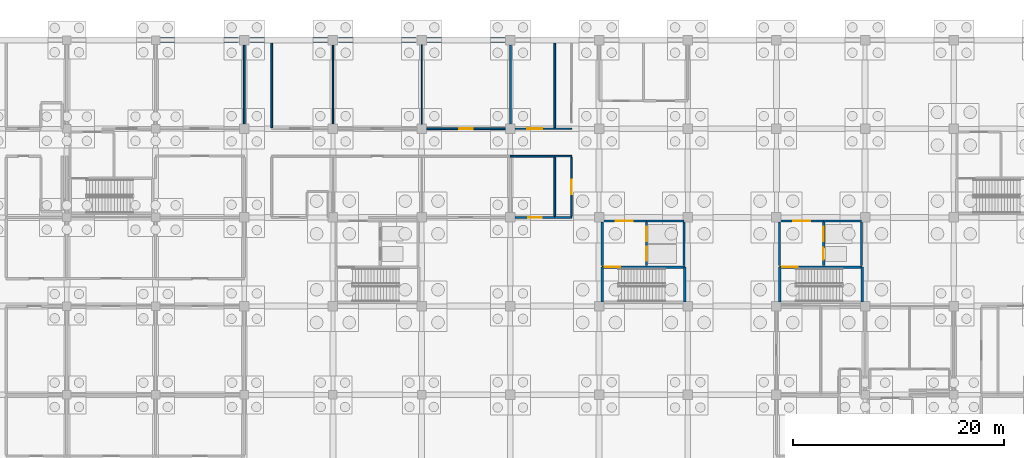
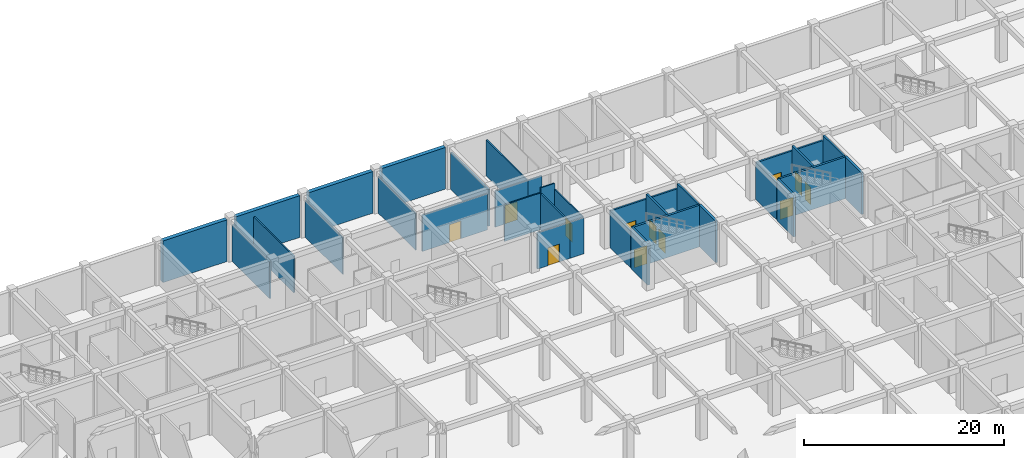
# One storey, part 43 of 65: 35 walls, 12 doors, 12 openings.
"""IFC4 building model written with IfcOpenShell, lengths in metres."""

import ifcopenshell
import ifcopenshell.guid

model = None  # the IFC model being written
_history = None  # IfcOwnerHistory: only IFC2X3 demands one
_inside = {}  # id of a spatial element -> (the spatial element, [elements in it])
_under = {}  # id of a project, library or spatial element -> (it, [spatial elements below it])
_declared = {}  # id of a project -> (the project, [libraries it declares])
_typed = {}  # id of a type object -> (the type object, [elements of that type])
_made_of = {}  # id of a material, layer set ... -> (it, [elements and type objects made of it])


def new_model(schema):
    """Start an empty IFC model of exactly this schema.

    Asked for "IFC4X3", IfcOpenShell would pick the latest addendum, in which some entities
    have other attributes; the version numbers below select the first issue.
    IFC2X3 requires an IfcOwnerHistory on every rooted entity: one is made here for all.
    """
    global model, _history
    if schema == "IFC4X3":
        model = ifcopenshell.file(schema_version=(4, 3, 0, 0))
    else:
        model = ifcopenshell.file(schema=schema)
    _inside.clear()
    _under.clear()
    _declared.clear()
    _typed.clear()
    _made_of.clear()
    _history = None
    if model.schema == "IFC2X3":
        org = make("IfcOrganization", Name="unknown")
        user = make(
            "IfcPersonAndOrganization",
            ThePerson=make("IfcPerson", FamilyName="unknown"),
            TheOrganization=org,
        )
        app = make(
            "IfcApplication",
            ApplicationDeveloper=org,
            Version="unknown",
            ApplicationFullName="unknown",
            ApplicationIdentifier="unknown",
        )
        _history = make(
            "IfcOwnerHistory",
            OwningUser=user,
            OwningApplication=app,
            ChangeAction="ADDED",
            CreationDate=0,
        )
    return model


def make(cls, **values):
    """One entity of the class cls with the attributes given. An attribute that is None is left unset."""
    return model.create_entity(
        cls, **{name: value for name, value in values.items() if value is not None}
    )


def rooted(cls, **values):
    """An entity with a GlobalId (a new one), such as an element, a storey or a relation."""
    return make(cls, GlobalId=ifcopenshell.guid.new(), OwnerHistory=_history, **values)


def si_unit(unit_type, name, prefix=None):
    """IfcSIUnit, for example si_unit("LENGTHUNIT", "METRE", prefix="MILLI")."""
    return make("IfcSIUnit", UnitType=unit_type, Prefix=prefix, Name=name)


def assignment(units):
    """IfcUnitAssignment: the units of a project."""
    return None if units is None else make("IfcUnitAssignment", Units=units)


def point(xyz):
    """IfcCartesianPoint."""
    return None if xyz is None else make("IfcCartesianPoint", Coordinates=xyz)


def direction(xyz):
    """IfcDirection."""
    return None if xyz is None else make("IfcDirection", DirectionRatios=xyz)


def frame(location, z_axis=None, x_axis=None):
    """IfcAxis2Placement3D, a coordinate frame: its origin and axes. An axis left out is left unset."""
    return make(
        "IfcAxis2Placement3D",
        Location=point(location),
        Axis=direction(z_axis),
        RefDirection=direction(x_axis),
    )


def frame_2d(location, x_axis=None):
    """IfcAxis2Placement2D, a coordinate frame in the plane: its origin and x axis."""
    return make(
        "IfcAxis2Placement2D", Location=point(location), RefDirection=direction(x_axis)
    )


def origin():
    """The frame at (0, 0, 0) with its axes left unset."""
    return frame((0.0, 0.0, 0.0))


def place(relative_to, where):
    """IfcLocalPlacement: puts the frame where relative to a parent placement (None: the world)."""
    return make(
        "IfcLocalPlacement", PlacementRelTo=relative_to, RelativePlacement=where
    )


def context(
    kind, dimensions, precision=None, world=None, true_north=None, identifier=None
):
    """IfcGeometricRepresentationContext, for example the 3D "Model" context."""
    return make(
        "IfcGeometricRepresentationContext",
        ContextIdentifier=identifier,
        ContextType=kind,
        CoordinateSpaceDimension=dimensions,
        Precision=precision,
        WorldCoordinateSystem=world,
        TrueNorth=true_north,
    )


def subcontext(parent, identifier, kind, view, scale=None):
    """IfcGeometricRepresentationSubContext, for example "Body" below "Model"."""
    return make(
        "IfcGeometricRepresentationSubContext",
        ContextIdentifier=identifier,
        ContextType=kind,
        ParentContext=parent,
        TargetScale=scale,
        TargetView=view,
    )


def project(units=None, contexts=None):
    """IfcProject with its units and contexts."""
    return rooted(
        "IfcProject",
        Name="project",
        RepresentationContexts=contexts,
        UnitsInContext=assignment(units),
    )


def spatial(cls, under=None, at=None, **own):
    """A site, building, storey or space (cls), placed at a placement, below another one or the project."""
    s = rooted(cls, ObjectPlacement=at, **own)
    if under is not None:
        _under.setdefault(under.id(), (under, []))[1].append(s)
    return s


def profile(cls, at=None, kind="AREA", **sizes):
    """A parametric profile (cls). Its sizes go by their IFC names, for example OverallWidth=200.0."""
    return make(cls, ProfileType=kind, Position=at, **sizes)


def rectangle(**sizes):
    """IfcRectangleProfileDef."""
    return profile("IfcRectangleProfileDef", **sizes)


def extrude(swept, where, along, depth):
    """IfcExtrudedAreaSolid: the profile swept, set in the frame where, extruded along a direction by depth."""
    return make(
        "IfcExtrudedAreaSolid",
        SweptArea=swept,
        Position=where,
        ExtrudedDirection=direction(along),
        Depth=depth,
    )


def shape(context_of_items, identifier, shape_type, items):
    """IfcShapeRepresentation: the items that make up one representation, for example the "Body"."""
    return make(
        "IfcShapeRepresentation",
        ContextOfItems=context_of_items,
        RepresentationIdentifier=identifier,
        RepresentationType=shape_type,
        Items=items,
    )


def material(Name=None, Category=None):
    """IfcMaterial."""
    return make("IfcMaterial", Name=Name, Category=Category)


def layer(
    of_material, thickness, ventilated=None, Name=None, Category=None, Priority=None
):
    """IfcMaterialLayer: one layer of a wall or slab, of a material (None: an air gap)."""
    return make(
        "IfcMaterialLayer",
        Material=of_material,
        LayerThickness=thickness,
        IsVentilated=ventilated,
        Name=Name,
        Category=Category,
        Priority=Priority,
    )


def layer_set(layers, Name=None):
    """IfcMaterialLayerSet."""
    return make("IfcMaterialLayerSet", MaterialLayers=layers, LayerSetName=Name)


def made_of(thing, what):
    """Note that an element or type object is made of a material, layer set ...; save() writes the relation."""
    if what is not None:
        _made_of.setdefault(what.id(), (what, []))[1].append(thing)
    return thing


def type_object(cls, material=None, **own):
    """A type object (cls), such as IfcWallType, which elements share."""
    return made_of(rooted(cls, **own), material)


def element(
    cls,
    number,
    at=None,
    inside=None,
    cuts=None,
    type_object=None,
    material=None,
    context=None,
    identifier="Body",
    shape_type=None,
    held_by="IfcProductDefinitionShape",
    body=None,
    shapes=None,
    **own,
):
    """One element of the class cls, such as IfcWall. Its Tag is "e" and its number.

    at: its placement. inside: the storey or other place that contains it. cuts: it is an
    opening in that element (IfcRelVoidsElement). A single representation is given by context,
    identifier, shape_type and body (its items); several are given by shapes. held_by: the class
    of the entity that holds the representations. save() writes the other relations.
    """
    e = rooted(cls, Tag="e%d" % number, ObjectPlacement=at, **own)
    if body is not None:
        shapes = [shape(context, identifier, shape_type, body)]
    if shapes is not None:
        e.Representation = make(held_by, Representations=shapes)
    if inside is not None:
        _inside.setdefault(inside.id(), (inside, []))[1].append(e)
    if cuts is not None:
        rooted(
            "IfcRelVoidsElement", RelatingBuildingElement=cuts, RelatedOpeningElement=e
        )
    if type_object is not None:
        _typed.setdefault(type_object.id(), (type_object, []))[1].append(e)
    return made_of(e, material)


def fill(opening, filler):
    """IfcRelFillsElement: the door or window that sits in an opening."""
    return rooted(
        "IfcRelFillsElement",
        RelatingOpeningElement=opening,
        RelatedBuildingElement=filler,
    )


def aggregate(whole, parts):
    """IfcRelAggregates: a whole, such as a stair, and the parts it consists of."""
    return rooted("IfcRelAggregates", RelatingObject=whole, RelatedObjects=parts)


def save(model, path):
    """Write the relations noted so far, then the file.

    IfcRelAggregates (storeys below a building ...), IfcRelContainedInSpatialStructure (elements
    in a storey), IfcRelDefinesByType, IfcRelAssociatesMaterial and IfcRelDeclares: one each for
    every whole, place, type object, material and project.
    """
    for whole, parts in _under.values():
        aggregate(whole, parts)
    for where, things in _inside.values():
        rooted(
            "IfcRelContainedInSpatialStructure",
            RelatedElements=things,
            RelatingStructure=where,
        )
    for kind, things in _typed.values():
        rooted("IfcRelDefinesByType", RelatedObjects=things, RelatingType=kind)
    for what, things in _made_of.values():
        rooted("IfcRelAssociatesMaterial", RelatedObjects=things, RelatingMaterial=what)
    for by, libraries in _declared.values():
        rooted("IfcRelDeclares", RelatingContext=by, RelatedDefinitions=libraries)
    model.write(path)


model = new_model("IFC4")

# Units and contexts
model_context = context("Model", 3, precision=1e-05, world=origin(), true_north=direction((0.0, 1.0)))
body_context = subcontext(model_context, "Body", "Model", "MODEL_VIEW")
ifc_project = project(units=[si_unit("LENGTHUNIT", "METRE"), si_unit("AREAUNIT", "SQUARE_METRE"), si_unit("VOLUMEUNIT", "CUBIC_METRE"), si_unit("PLANEANGLEUNIT", "RADIAN"), si_unit("MASSUNIT", "GRAM", prefix="KILO")], contexts=[model_context])

# Site, building, storey
site_placement = place(None, origin())
site = spatial("IfcSite", under=ifc_project, at=site_placement, CompositionType="ELEMENT")
building_placement = place(site_placement, origin())
building = spatial("IfcBuilding", under=site, at=building_placement, Name="Bramfleet General Hospital", CompositionType="ELEMENT")
storey_placement = place(building_placement, frame((0.0, 0.0, -5.39990234375)))
storey = spatial("IfcBuildingStorey", under=building, at=storey_placement, Name="B1", CompositionType="ELEMENT", Elevation=-5.39990234375)

# Walls
ifc_material_1 = material(Name="Concrete C35/45", Category="concrete")
ifc_layer_1 = layer(ifc_material_1, 0.449951171875, Name="WT-EW-01")
ifc_layer_set_1 = layer_set([ifc_layer_1], Name="Concrete C35/45")
wall_type_1 = type_object("IfcWallType", Name="WT-EW-01", PredefinedType="SOLIDWALL", material=ifc_layer_set_1)
wall_1_placement = place(storey_placement, frame((59.27490234375, 117.60009765625, 0.0), z_axis=(0.0, 0.0, 1.0), x_axis=(1.0, 0.0, 0.0)))
element("IfcWall", 1, at=wall_1_placement, inside=storey, type_object=wall_type_1, Name="B1 Waterproof Retaining Wall 15", PredefinedType="SOLIDWALL", context=body_context, shape_type="SweptSolid", body=[
    extrude(rectangle(XDim=7.400146484375, YDim=0.449951171875, at=frame_2d((3.7001953125, 0.0))), origin(), (0.0, 0.0, 1.0), 5.079833984375),
])
wall_2_placement = place(storey_placement, frame((67.72509765625, 117.60009765625, 0.0), z_axis=(0.0, 0.0, 1.0), x_axis=(1.0, 0.0, 0.0)))
element("IfcWall", 2, at=wall_2_placement, inside=storey, type_object=wall_type_1, Name="B1 Waterproof Retaining Wall 16", PredefinedType="SOLIDWALL", context=body_context, shape_type="SweptSolid", body=[
    extrude(rectangle(XDim=7.349853515625, YDim=0.449951171875, at=frame_2d((3.6748046875, 0.0))), origin(), (0.0, 0.0, 1.0), 5.079833984375),
])
for number, where, z_axis, x_axis, name in (
    (3, (76.125, 117.60009765625, 0.0), (0.0, 0.0, 1.0), (1.0, 0.0, 0.0), "B1 Waterproof Retaining Wall 17"),
    (4, (84.52490234375, 117.60009765625, 0.0), (0.0, 0.0, 1.0), (1.0, 0.0, 0.0), "B1 Waterproof Retaining Wall 18"),
):
    element("IfcWall", number, at=place(storey_placement, frame(where, z_axis=z_axis, x_axis=x_axis)), inside=storey, type_object=wall_type_1, Name=name, PredefinedType="SOLIDWALL", context=body_context, shape_type="SweptSolid", body=[
        extrude(rectangle(XDim=7.35009765625, YDim=0.449951171875, at=frame_2d((3.675048828125, 0.0))), origin(), (0.0, 0.0, 1.0), 5.079833984375),
    ])

# Wall, openings, doors
ifc_layer_2 = layer(ifc_material_1, 0.205078125, Name="WT-IW-02")
ifc_layer_set_2 = layer_set([ifc_layer_2], Name="Concrete C35/45")
wall_type_2 = type_object("IfcWallType", Name="WT-IW-02", PredefinedType="PARTITIONING", material=ifc_layer_set_2)
wall_3_placement = place(storey_placement, frame((105.280029296875, 96.239990234375, 0.0), z_axis=(0.0, 0.0, 1.0), x_axis=(0.0, 1.0, 0.0)))
wall_3 = element("IfcWall", 5, at=wall_3_placement, inside=storey, type_object=wall_type_2, Name="B1 C4 Lobby East Shaft Wall", PredefinedType="PARTITIONING", context=body_context, shape_type="SweptSolid", body=[
    extrude(rectangle(XDim=4.1201171875, YDim=0.205078125, at=frame_2d((2.06005859375, 0.0))), origin(), (0.0, 0.0, 1.0), 5.06982421875),
])
opening_1_placement = place(wall_3_placement, frame((0.445068359375, 0.0, 0.0)))
opening_1 = element("IfcOpeningElement", 6, at=opening_1_placement, cuts=wall_3, Name="Opening LD-FL-02-B1", PredefinedType="OPENING", context=body_context, shape_type="SweptSolid", body=[
    extrude(rectangle(XDim=1.35009765625, YDim=2.199951171875, at=frame_2d((0.675048828125, 1.10009765625))), frame((0.0, 0.112548828125, 0.0), z_axis=(0.0, -1.0, 0.0), x_axis=(1.0, 0.0, 0.0)), (0.0, 0.0, 1.0), 0.22509765625),
])
opening_2_placement = place(wall_3_placement, frame((2.324951171875, 0.0, 0.0)))
opening_2 = element("IfcOpeningElement", 7, at=opening_2_placement, cuts=wall_3, Name="Opening LD-BL-04-B1", PredefinedType="OPENING", context=body_context, shape_type="SweptSolid", body=[
    extrude(rectangle(XDim=1.35009765625, YDim=2.199951171875, at=frame_2d((0.675048828125, 1.10009765625))), frame((0.0, 0.112548828125, 0.0), z_axis=(0.0, -1.0, 0.0), x_axis=(1.0, 0.0, 0.0)), (0.0, 0.0, 1.0), 0.22509765625),
])
ifc_material_2 = material(Name="Brushed stainless steel 1.4301", Category="steel")
door_type_1 = type_object("IfcDoorType", Name="DR-LD-01", OperationType="NOTDEFINED", PredefinedType="DOOR", material=ifc_material_2)
door_1_placement = place(opening_1_placement, origin())
door_1 = element("IfcDoor", 8, at=door_1_placement, inside=storey, type_object=door_type_1, Name="B1 Lift FL-02 Sliding Landing Door", OperationType="SLIDING_TO_LEFT", OverallHeight=2.199951171875, OverallWidth=1.35009765625, PredefinedType="DOOR", context=body_context, shape_type="SweptSolid", body=[
    extrude(rectangle(XDim=1.35009765625, YDim=2.199951171875, at=frame_2d((0.675048828125, 1.10009765625))), frame((0.0, 0.02490234375, 0.0), z_axis=(0.0, -1.0, 0.0), x_axis=(1.0, 0.0, 0.0)), (0.0, 0.0, 1.0), 0.050048828125),
])
fill(opening_1, door_1)
door_2_placement = place(opening_2_placement, origin())
door_2 = element("IfcDoor", 9, at=door_2_placement, inside=storey, type_object=door_type_1, Name="B1 Lift BL-04 Sliding Landing Door", OperationType="SLIDING_TO_LEFT", OverallHeight=2.199951171875, OverallWidth=1.35009765625, PredefinedType="DOOR", context=body_context, shape_type="SweptSolid", body=[
    extrude(rectangle(XDim=1.35009765625, YDim=2.199951171875, at=frame_2d((0.675048828125, 1.10009765625))), frame((0.0, 0.02490234375, 0.0), z_axis=(0.0, -1.0, 0.0), x_axis=(1.0, 0.0, 0.0)), (0.0, 0.0, 1.0), 0.050048828125),
])
fill(opening_2, door_2)

# Walls
wall_4_placement = place(storey_placement, frame((108.85009765625, 96.239990234375, 0.0), z_axis=(0.0, 0.0, 1.0), x_axis=(0.0, 1.0, 0.0)))
element("IfcWall", 10, at=wall_4_placement, inside=storey, type_object=wall_type_2, Name="B1 C4 Lift Shaft East Wall", PredefinedType="PARTITIONING", context=body_context, shape_type="SweptSolid", body=[
    extrude(rectangle(XDim=4.1201171875, YDim=0.205078125, at=frame_2d((2.06005859375, 0.0))), origin(), (0.0, 0.0, 1.0), 5.06982421875),
])
wall_5_placement = place(storey_placement, frame((105.280029296875, 100.47998046875, 0.0), z_axis=(0.0, 0.0, 1.0), x_axis=(1.0, 0.0, 0.0)))
element("IfcWall", 11, at=wall_5_placement, inside=storey, type_object=wall_type_2, Name="B1 C4 Lift Shaft North Wall", PredefinedType="PARTITIONING", context=body_context, shape_type="SweptSolid", body=[
    extrude(rectangle(XDim=3.570068359375, YDim=0.205078125, at=frame_2d((1.78515625, 0.0))), origin(), (0.0, 0.0, 1.0), 4.419921875),
])
wall_6_placement = place(storey_placement, frame((101.10009765625, 96.239990234375, 0.0), z_axis=(0.0, 0.0, 1.0), x_axis=(0.0, 1.0, 0.0)))
element("IfcWall", 12, at=wall_6_placement, inside=storey, type_object=wall_type_2, Name="B1 C4 Lobby West Compartment Wall", PredefinedType="PARTITIONING", context=body_context, shape_type="SweptSolid", body=[
    extrude(rectangle(XDim=4.1201171875, YDim=0.205078125, at=frame_2d((2.06005859375, 0.0))), origin(), (0.0, 0.0, 1.0), 4.469970703125),
])

# Wall, opening, door
wall_7_placement = place(storey_placement, frame((101.10009765625, 100.47998046875, 0.0), z_axis=(0.0, 0.0, 1.0), x_axis=(1.0, 0.0, 0.0)))
wall_7 = element("IfcWall", 13, at=wall_7_placement, inside=storey, type_object=wall_type_2, Name="B1 C4 Lobby North Compartment Wall", PredefinedType="PARTITIONING", context=body_context, shape_type="SweptSolid", body=[
    extrude(rectangle(XDim=4.179931640625, YDim=0.205078125, at=frame_2d((2.08984375, 0.0))), origin(), (0.0, 0.0, 1.0), 4.419921875),
])
opening_3_placement = place(wall_7_placement, frame((1.2900390625, 0.0, 0.0)))
opening_3 = element("IfcOpeningElement", 14, at=opening_3_placement, cuts=wall_7, Name="Opening D0038", PredefinedType="OPENING", context=body_context, shape_type="SweptSolid", body=[
    extrude(rectangle(XDim=1.60009765625, YDim=2.25, at=frame_2d((0.800048828125, 1.125))), frame((0.0, 0.112548828125, 0.0), z_axis=(0.0, -1.0, 0.0), x_axis=(1.0, 0.0, 0.0)), (0.0, 0.0, 1.0), 0.22509765625),
])
ifc_material_3 = material(Name="Stainless steel and acoustic timber leaf", Category="steel")
door_type_2 = type_object("IfcDoorType", Name="DR-D-04", OperationType="NOTDEFINED", PredefinedType="DOOR", material=ifc_material_3)
door_3_placement = place(opening_3_placement, origin())
door_3 = element("IfcDoor", 15, at=door_3_placement, inside=storey, type_object=door_type_2, Name="B1 C4 Lobby Fire Door D0038", OperationType="DOUBLE_SWING_LEFT", OverallHeight=2.25, OverallWidth=1.60009765625, PredefinedType="DOOR", context=body_context, shape_type="SweptSolid", body=[
    extrude(rectangle(XDim=1.60009765625, YDim=2.25, at=frame_2d((0.800048828125, 1.125))), frame((0.0, 0.02490234375, 0.0), z_axis=(0.0, -1.0, 0.0), x_axis=(1.0, 0.0, 0.0)), (0.0, 0.0, 1.0), 0.050048828125),
])
fill(opening_3, door_3)

# Wall, openings, doors
wall_8_placement = place(storey_placement, frame((122.080078125, 96.239990234375, 0.0), z_axis=(0.0, 0.0, 1.0), x_axis=(0.0, 1.0, 0.0)))
wall_8 = element("IfcWall", 16, at=wall_8_placement, inside=storey, type_object=wall_type_2, Name="B1 C6 Lobby East Shaft Wall", PredefinedType="PARTITIONING", context=body_context, shape_type="SweptSolid", body=[
    extrude(rectangle(XDim=4.1201171875, YDim=0.205078125, at=frame_2d((2.06005859375, 0.0))), origin(), (0.0, 0.0, 1.0), 5.06982421875),
])
opening_4_placement = place(wall_8_placement, frame((0.570068359375, 0.0, 0.0)))
opening_4 = element("IfcOpeningElement", 17, at=opening_4_placement, cuts=wall_8, Name="Opening LD-PL-04-B1", PredefinedType="OPENING", context=body_context, shape_type="SweptSolid", body=[
    extrude(rectangle(XDim=1.10009765625, YDim=2.14990234375, at=frame_2d((0.550048828125, 1.074951171875))), frame((0.0, 0.112548828125, 0.0), z_axis=(0.0, -1.0, 0.0), x_axis=(1.0, 0.0, 0.0)), (0.0, 0.0, 1.0), 0.22509765625),
])
opening_5_placement = place(wall_8_placement, frame((2.324951171875, 0.0, 0.0)))
opening_5 = element("IfcOpeningElement", 18, at=opening_5_placement, cuts=wall_8, Name="Opening LD-GL-02-B1", PredefinedType="OPENING", context=body_context, shape_type="SweptSolid", body=[
    extrude(rectangle(XDim=1.35009765625, YDim=2.199951171875, at=frame_2d((0.675048828125, 1.10009765625))), frame((0.0, 0.112548828125, 0.0), z_axis=(0.0, -1.0, 0.0), x_axis=(1.0, 0.0, 0.0)), (0.0, 0.0, 1.0), 0.22509765625),
])
door_4_placement = place(opening_5_placement, origin())
door_4 = element("IfcDoor", 19, at=door_4_placement, inside=storey, type_object=door_type_1, Name="B1 Lift GL-02 Sliding Landing Door", OperationType="SLIDING_TO_LEFT", OverallHeight=2.199951171875, OverallWidth=1.35009765625, PredefinedType="DOOR", context=body_context, shape_type="SweptSolid", body=[
    extrude(rectangle(XDim=1.35009765625, YDim=2.199951171875, at=frame_2d((0.675048828125, 1.10009765625))), frame((0.0, 0.02490234375, 0.0), z_axis=(0.0, -1.0, 0.0), x_axis=(1.0, 0.0, 0.0)), (0.0, 0.0, 1.0), 0.050048828125),
])
fill(opening_5, door_4)
door_type_3 = type_object("IfcDoorType", Name="DR-LD-02", OperationType="NOTDEFINED", PredefinedType="DOOR", material=ifc_material_2)
door_5_placement = place(opening_4_placement, origin())
door_5 = element("IfcDoor", 20, at=door_5_placement, inside=storey, type_object=door_type_3, Name="B1 Lift PL-04 Sliding Landing Door", OperationType="SLIDING_TO_LEFT", OverallHeight=2.14990234375, OverallWidth=1.10009765625, PredefinedType="DOOR", context=body_context, shape_type="SweptSolid", body=[
    extrude(rectangle(XDim=1.10009765625, YDim=2.14990234375, at=frame_2d((0.550048828125, 1.074951171875))), frame((0.0, 0.02490234375, 0.0), z_axis=(0.0, -1.0, 0.0), x_axis=(1.0, 0.0, 0.0)), (0.0, 0.0, 1.0), 0.050048828125),
])
fill(opening_4, door_5)

# Walls
wall_9_placement = place(storey_placement, frame((125.64990234375, 96.239990234375, 0.0), z_axis=(0.0, 0.0, 1.0), x_axis=(0.0, 1.0, 0.0)))
element("IfcWall", 21, at=wall_9_placement, inside=storey, type_object=wall_type_2, Name="B1 C6 Lift Shaft East Wall", PredefinedType="PARTITIONING", context=body_context, shape_type="SweptSolid", body=[
    extrude(rectangle(XDim=4.1201171875, YDim=0.205078125, at=frame_2d((2.06005859375, 0.0))), origin(), (0.0, 0.0, 1.0), 5.06982421875),
])
wall_10_placement = place(storey_placement, frame((122.080078125, 100.47998046875, 0.0), z_axis=(0.0, 0.0, 1.0), x_axis=(1.0, 0.0, 0.0)))
element("IfcWall", 22, at=wall_10_placement, inside=storey, type_object=wall_type_2, Name="B1 C6 Lift Shaft North Wall", PredefinedType="PARTITIONING", context=body_context, shape_type="SweptSolid", body=[
    extrude(rectangle(XDim=3.56982421875, YDim=0.205078125, at=frame_2d((1.784912109375, 0.0))), origin(), (0.0, 0.0, 1.0), 4.419921875),
])
wall_11_placement = place(storey_placement, frame((117.89990234375, 96.239990234375, 0.0), z_axis=(0.0, 0.0, 1.0), x_axis=(0.0, 1.0, 0.0)))
element("IfcWall", 23, at=wall_11_placement, inside=storey, type_object=wall_type_2, Name="B1 C6 Lobby West Compartment Wall", PredefinedType="PARTITIONING", context=body_context, shape_type="SweptSolid", body=[
    extrude(rectangle(XDim=4.1201171875, YDim=0.205078125, at=frame_2d((2.06005859375, 0.0))), origin(), (0.0, 0.0, 1.0), 4.469970703125),
])

# Wall, opening, door
wall_12_placement = place(storey_placement, frame((117.89990234375, 100.47998046875, 0.0), z_axis=(0.0, 0.0, 1.0), x_axis=(1.0, 0.0, 0.0)))
wall_12 = element("IfcWall", 24, at=wall_12_placement, inside=storey, type_object=wall_type_2, Name="B1 C6 Lobby North Compartment Wall", PredefinedType="PARTITIONING", context=body_context, shape_type="SweptSolid", body=[
    extrude(rectangle(XDim=4.18017578125, YDim=0.205078125, at=frame_2d((2.090087890625, 0.0))), origin(), (0.0, 0.0, 1.0), 4.419921875),
])
opening_6_placement = place(wall_12_placement, frame((1.2900390625, 0.0, 0.0)))
opening_6 = element("IfcOpeningElement", 25, at=opening_6_placement, cuts=wall_12, Name="Opening D0074", PredefinedType="OPENING", context=body_context, shape_type="SweptSolid", body=[
    extrude(rectangle(XDim=1.60009765625, YDim=2.25, at=frame_2d((0.800048828125, 1.125))), frame((0.0, 0.112548828125, 0.0), z_axis=(0.0, -1.0, 0.0), x_axis=(1.0, 0.0, 0.0)), (0.0, 0.0, 1.0), 0.22509765625),
])
door_6_placement = place(opening_6_placement, origin())
door_6 = element("IfcDoor", 26, at=door_6_placement, inside=storey, type_object=door_type_2, Name="B1 C6 Lobby Fire Door D0074", OperationType="DOUBLE_SWING_LEFT", OverallHeight=2.25, OverallWidth=1.60009765625, PredefinedType="DOOR", context=body_context, shape_type="SweptSolid", body=[
    extrude(rectangle(XDim=1.60009765625, YDim=2.25, at=frame_2d((0.800048828125, 1.125))), frame((0.0, 0.02490234375, 0.0), z_axis=(0.0, -1.0, 0.0), x_axis=(1.0, 0.0, 0.0)), (0.0, 0.0, 1.0), 0.050048828125),
])
fill(opening_6, door_6)

# Walls
wall_13_placement = place(storey_placement, frame((92.39990234375, 109.64501953125, 0.0), z_axis=(0.0, 0.0, 1.0), x_axis=(0.0, 1.0, 0.0)))
element("IfcWall", 27, at=wall_13_placement, inside=storey, type_object=wall_type_2, Name="B1 Interior Partition IW-B1-0494", PredefinedType="PARTITIONING", context=body_context, shape_type="SweptSolid", body=[
    extrude(rectangle(XDim=7.510009765625, YDim=0.205078125, at=frame_2d((3.7548828125, 0.0))), origin(), (0.0, 0.0, 1.0), 4.469970703125),
])
ifc_layer_3 = layer(ifc_material_1, 0.179931640625, Name="WT-IW-04")
ifc_layer_set_3 = layer_set([ifc_layer_3], Name="Concrete C35/45")
wall_type_3 = type_object("IfcWallType", Name="WT-IW-04", PredefinedType="PARTITIONING", material=ifc_layer_set_3)
wall_14_placement = place(storey_placement, frame((67.199951171875, 109.64501953125, 0.0), z_axis=(0.0, 0.0, 1.0), x_axis=(0.0, 1.0, 0.0)))
element("IfcWall", 28, at=wall_14_placement, inside=storey, type_object=wall_type_3, Name="B1 Interior Partition IW-B1-0484", PredefinedType="PARTITIONING", context=body_context, shape_type="SweptSolid", body=[
    extrude(rectangle(XDim=7.510009765625, YDim=0.179931640625, at=frame_2d((3.7548828125, 0.0))), origin(), (0.0, 0.0, 1.0), 4.469970703125),
])

# Wall, opening, door
ifc_material_4 = material(Name="Gypsum plasterboard on acoustic steel studs", Category="steel")
ifc_layer_4 = layer(ifc_material_4, 0.169921875, Name="WT-IW-05")
ifc_layer_set_4 = layer_set([ifc_layer_4], Name="Gypsum plasterboard on acoustic steel studs")
wall_type_4 = type_object("IfcWallType", Name="WT-IW-05", PredefinedType="PARTITIONING", material=ifc_layer_set_4)
wall_15_placement = place(storey_placement, frame((92.844970703125, 100.800048828125, 0.0), z_axis=(0.0, 0.0, 1.0), x_axis=(1.0, 0.0, 0.0)))
wall_15 = element("IfcWall", 29, at=wall_15_placement, inside=storey, type_object=wall_type_4, Name="B1 Interior Partition IW-B1-0293", PredefinedType="PARTITIONING", context=body_context, shape_type="SweptSolid", body=[
    extrude(rectangle(XDim=3.755126953125, YDim=0.169921875, at=frame_2d((1.87744140625, 0.0))), origin(), (0.0, 0.0, 1.0), 4.419921875),
])
opening_7_placement = place(wall_15_placement, frame((1.237548828125, 0.0, 0.0)))
opening_7 = element("IfcOpeningElement", 30, at=opening_7_placement, cuts=wall_15, Name="Opening D0317", PredefinedType="OPENING", context=body_context, shape_type="SweptSolid", body=[
    extrude(rectangle(XDim=1.280029296875, YDim=2.179931640625, at=frame_2d((0.64013671875, 1.08984375))), frame((0.0, 0.094970703125, 0.0), z_axis=(0.0, -1.0, 0.0), x_axis=(1.0, 0.0, 0.0)), (0.0, 0.0, 1.0), 0.18994140625),
])
door_type_4 = type_object("IfcDoorType", Name="DR-D-29", OperationType="NOTDEFINED", PredefinedType="DOOR", material=ifc_material_3)
door_7_placement = place(opening_7_placement, origin())
door_7 = element("IfcDoor", 31, at=door_7_placement, inside=storey, type_object=door_type_4, Name="Clean Medical Supply Store B1-1112 Door D0317", OperationType="SINGLE_SWING_RIGHT", OverallHeight=2.179931640625, OverallWidth=1.280029296875, PredefinedType="DOOR", context=body_context, shape_type="SweptSolid", body=[
    extrude(rectangle(XDim=1.280029296875, YDim=2.179931640625, at=frame_2d((0.64013671875, 1.08984375))), frame((0.0, 0.02490234375, 0.0), z_axis=(0.0, -1.0, 0.0), x_axis=(1.0, 0.0, 0.0)), (0.0, 0.0, 1.0), 0.050048828125),
])
fill(opening_7, door_7)

# Walls
wall_16_placement = place(storey_placement, frame((96.60009765625, 100.9150390625, 0.0), z_axis=(0.0, 0.0, 1.0), x_axis=(0.0, 1.0, 0.0)))
element("IfcWall", 32, at=wall_16_placement, inside=storey, type_object=wall_type_4, Name="B1 Interior Partition IW-B1-0497", PredefinedType="PARTITIONING", context=body_context, shape_type="SweptSolid", body=[
    extrude(rectangle(XDim=5.570068359375, YDim=0.169921875, at=frame_2d((2.78515625, 0.0))), origin(), (0.0, 0.0, 1.0), 4.419921875),
])
ifc_layer_5 = layer(ifc_material_4, 0.159912109375, Name="WT-IW-06")
ifc_layer_set_5 = layer_set([ifc_layer_5], Name="Gypsum plasterboard on acoustic steel studs")
wall_type_5 = type_object("IfcWallType", Name="WT-IW-06", PredefinedType="PARTITIONING", material=ifc_layer_set_5)
wall_17_placement = place(storey_placement, frame((96.60009765625, 100.800048828125, 0.0), z_axis=(0.0, 0.0, 1.0), x_axis=(1.0, 0.0, 0.0)))
element("IfcWall", 33, at=wall_17_placement, inside=storey, type_object=wall_type_5, Name="B1 Interior Partition IW-B1-0294", PredefinedType="PARTITIONING", context=body_context, shape_type="SweptSolid", body=[
    extrude(rectangle(XDim=1.599853515625, YDim=0.159912109375, at=frame_2d((0.7998046875, 0.0))), origin(), (0.0, 0.0, 1.0), 4.419921875),
])
for number, where, z_axis, x_axis, name in (
    (34, (69.800048828125, 109.31494140625, 0.0), (0.0, 0.0, 1.0), (0.0, 1.0, 0.0), "B1 Interior Partition IW-B1-0486"),
    (35, (96.60009765625, 109.31494140625, 0.0), (0.0, 0.0, 1.0), (0.0, 1.0, 0.0), "B1 Interior Partition IW-B1-0498"),
):
    element("IfcWall", number, at=place(storey_placement, frame(where, z_axis=z_axis, x_axis=x_axis)), inside=storey, type_object=wall_type_5, Name=name, PredefinedType="PARTITIONING", context=body_context, shape_type="SweptSolid", body=[
        extrude(rectangle(XDim=8.005126953125, YDim=0.159912109375, at=frame_2d((4.00244140625, 0.0))), origin(), (0.0, 0.0, 1.0), 4.419921875),
    ])
ifc_layer_6 = layer(ifc_material_4, 0.14990234375, Name="WT-IW-07")
ifc_layer_set_6 = layer_set([ifc_layer_6], Name="Gypsum plasterboard on acoustic steel studs")
wall_type_6 = type_object("IfcWallType", Name="WT-IW-07", PredefinedType="PARTITIONING", material=ifc_layer_set_6)
wall_18_placement = place(storey_placement, frame((92.39990234375, 106.60009765625, 0.0), z_axis=(0.0, 0.0, 1.0), x_axis=(1.0, 0.0, 0.0)))
element("IfcWall", 36, at=wall_18_placement, inside=storey, type_object=wall_type_6, Name="B1 Interior Partition IW-B1-0307", PredefinedType="PARTITIONING", context=body_context, shape_type="SweptSolid", body=[
    extrude(rectangle(XDim=4.2001953125, YDim=0.14990234375, at=frame_2d((2.10009765625, 0.0))), origin(), (0.0, 0.0, 1.0), 4.469970703125),
])

# Wall, opening, door
wall_19_placement = place(storey_placement, frame((84.445068359375, 109.199951171875, 0.0), z_axis=(0.0, 0.0, 1.0), x_axis=(1.0, 0.0, 0.0)))
wall_19 = element("IfcWall", 37, at=wall_19_placement, inside=storey, type_object=wall_type_6, Name="B1 Interior Partition IW-B1-0319", PredefinedType="PARTITIONING", context=body_context, shape_type="SweptSolid", body=[
    extrude(rectangle(XDim=7.510009765625, YDim=0.14990234375, at=frame_2d((3.7548828125, 0.0))), origin(), (0.0, 0.0, 1.0), 4.419921875),
])
opening_8_placement = place(wall_19_placement, frame((3.094970703125, 0.0, 0.0)))
opening_8 = element("IfcOpeningElement", 38, at=opening_8_placement, cuts=wall_19, Name="Opening D0312", PredefinedType="OPENING", context=body_context, shape_type="SweptSolid", body=[
    extrude(rectangle(XDim=1.320068359375, YDim=2.179931640625, at=frame_2d((0.66015625, 1.08984375))), frame((0.0, 0.0849609375, 0.0), z_axis=(0.0, -1.0, 0.0), x_axis=(1.0, 0.0, 0.0)), (0.0, 0.0, 1.0), 0.169921875),
])
door_type_5 = type_object("IfcDoorType", Name="DR-D-24", OperationType="NOTDEFINED", PredefinedType="DOOR", material=ifc_material_3)
door_8_placement = place(opening_8_placement, origin())
door_8 = element("IfcDoor", 39, at=door_8_placement, inside=storey, type_object=door_type_5, Name="Pharmacy Compact Storage and Medical Archive B1-1013 Door D0312", OperationType="SINGLE_SWING_LEFT", OverallHeight=2.179931640625, OverallWidth=1.320068359375, PredefinedType="DOOR", context=body_context, shape_type="SweptSolid", body=[
    extrude(rectangle(XDim=1.320068359375, YDim=2.179931640625, at=frame_2d((0.66015625, 1.08984375))), frame((0.0, 0.02490234375, 0.0), z_axis=(0.0, -1.0, 0.0), x_axis=(1.0, 0.0, 0.0)), (0.0, 0.0, 1.0), 0.050048828125),
])
fill(opening_8, door_8)

# Wall
ifc_layer_7 = layer(ifc_material_4, 0.139892578125, Name="WT-IW-08")
ifc_layer_set_7 = layer_set([ifc_layer_7], Name="Gypsum plasterboard on acoustic steel studs")
wall_type_7 = type_object("IfcWallType", Name="WT-IW-08", PredefinedType="PARTITIONING", material=ifc_layer_set_7)
wall_20_placement = place(storey_placement, frame((96.60009765625, 106.60009765625, 0.0), z_axis=(0.0, 0.0, 1.0), x_axis=(1.0, 0.0, 0.0)))
element("IfcWall", 40, at=wall_20_placement, inside=storey, type_object=wall_type_7, Name="B1 Interior Partition IW-B1-0308", PredefinedType="PARTITIONING", context=body_context, shape_type="SweptSolid", body=[
    extrude(rectangle(XDim=1.599853515625, YDim=0.139892578125, at=frame_2d((0.7998046875, 0.0))), origin(), (0.0, 0.0, 1.0), 5.06982421875),
])

# Wall, opening, door
wall_21_placement = place(storey_placement, frame((92.844970703125, 109.199951171875, 0.0), z_axis=(0.0, 0.0, 1.0), x_axis=(1.0, 0.0, 0.0)))
wall_21 = element("IfcWall", 41, at=wall_21_placement, inside=storey, type_object=wall_type_7, Name="B1 Interior Partition IW-B1-0320", PredefinedType="PARTITIONING", context=body_context, shape_type="SweptSolid", body=[
    extrude(rectangle(XDim=3.755126953125, YDim=0.139892578125, at=frame_2d((1.87744140625, 0.0))), origin(), (0.0, 0.0, 1.0), 4.419921875),
])
opening_9_placement = place(wall_21_placement, frame((1.16748046875, 0.0, 0.0)))
opening_9 = element("IfcOpeningElement", 42, at=opening_9_placement, cuts=wall_21, Name="Opening D0319", PredefinedType="OPENING", context=body_context, shape_type="SweptSolid", body=[
    extrude(rectangle(XDim=1.419921875, YDim=2.219970703125, at=frame_2d((0.7099609375, 1.10986328125))), frame((0.0, 0.079833984375, 0.0), z_axis=(0.0, -1.0, 0.0), x_axis=(1.0, 0.0, 0.0)), (0.0, 0.0, 1.0), 0.159912109375),
])
door_type_6 = type_object("IfcDoorType", Name="DR-D-31", OperationType="NOTDEFINED", PredefinedType="DOOR", material=ifc_material_3)
door_9_placement = place(opening_9_placement, origin())
door_9 = element("IfcDoor", 43, at=door_9_placement, inside=storey, type_object=door_type_6, Name="Clean Medical Supply Store B1-1113 Door D0319", OperationType="SINGLE_SWING_RIGHT", OverallHeight=2.219970703125, OverallWidth=1.419921875, PredefinedType="DOOR", context=body_context, shape_type="SweptSolid", body=[
    extrude(rectangle(XDim=1.419921875, YDim=2.219970703125, at=frame_2d((0.7099609375, 1.10986328125))), frame((0.0, 0.02490234375, 0.0), z_axis=(0.0, -1.0, 0.0), x_axis=(1.0, 0.0, 0.0)), (0.0, 0.0, 1.0), 0.050048828125),
])
fill(opening_9, door_9)

# Wall
ifc_layer_8 = layer(ifc_material_4, 0.1298828125, Name="WT-IW-09")
ifc_layer_set_8 = layer_set([ifc_layer_8], Name="Gypsum plasterboard on acoustic steel studs")
wall_type_8 = type_object("IfcWallType", Name="WT-IW-09", PredefinedType="PARTITIONING", material=ifc_layer_set_8)
wall_22_placement = place(storey_placement, frame((96.60009765625, 109.199951171875, 0.0), z_axis=(0.0, 0.0, 1.0), x_axis=(1.0, 0.0, 0.0)))
element("IfcWall", 44, at=wall_22_placement, inside=storey, type_object=wall_type_8, Name="B1 Interior Partition IW-B1-0321", PredefinedType="PARTITIONING", context=body_context, shape_type="SweptSolid", body=[
    extrude(rectangle(XDim=1.599853515625, YDim=0.1298828125, at=frame_2d((0.7998046875, 0.0))), origin(), (0.0, 0.0, 1.0), 4.419921875),
])

# Wall, opening, door
wall_23_placement = place(storey_placement, frame((98.199951171875, 100.9150390625, 0.0), z_axis=(0.0, 0.0, 1.0), x_axis=(0.0, 1.0, 0.0)))
wall_23 = element("IfcWall", 45, at=wall_23_placement, inside=storey, type_object=wall_type_8, Name="B1 Interior Partition IW-B1-0501", PredefinedType="PARTITIONING", context=body_context, shape_type="SweptSolid", body=[
    extrude(rectangle(XDim=5.570068359375, YDim=0.1298828125, at=frame_2d((2.78515625, 0.0))), origin(), (0.0, 0.0, 1.0), 4.419921875),
])
opening_10_placement = place(wall_23_placement, frame((2.094970703125, 0.0, 0.0)))
opening_10 = element("IfcOpeningElement", 46, at=opening_10_placement, cuts=wall_23, Name="Opening D0318", PredefinedType="OPENING", context=body_context, shape_type="SweptSolid", body=[
    extrude(rectangle(XDim=1.3798828125, YDim=2.219970703125, at=frame_2d((0.68994140625, 1.10986328125))), frame((0.0, 0.074951171875, 0.0), z_axis=(0.0, -1.0, 0.0), x_axis=(1.0, 0.0, 0.0)), (0.0, 0.0, 1.0), 0.14990234375),
])
door_type_7 = type_object("IfcDoorType", Name="DR-D-30", OperationType="NOTDEFINED", PredefinedType="DOOR", material=ifc_material_3)
door_10_placement = place(opening_10_placement, origin())
door_10 = element("IfcDoor", 47, at=door_10_placement, inside=storey, type_object=door_type_7, Name="Clinical Engineering Workshop B1-1112 Door D0318", OperationType="SINGLE_SWING_LEFT", OverallHeight=2.219970703125, OverallWidth=1.3798828125, PredefinedType="DOOR", context=body_context, shape_type="SweptSolid", body=[
    extrude(rectangle(XDim=1.3798828125, YDim=2.219970703125, at=frame_2d((0.68994140625, 1.10986328125))), frame((0.0, 0.02490234375, 0.0), z_axis=(0.0, -1.0, 0.0), x_axis=(1.0, 0.0, 0.0)), (0.0, 0.0, 1.0), 0.050048828125),
])
fill(opening_10, door_10)

# Walls
ifc_layer_9 = layer(ifc_material_4, 0.1201171875, Name="WT-IW-10")
ifc_layer_set_9 = layer_set([ifc_layer_9], Name="Gypsum plasterboard on acoustic steel studs")
wall_type_9 = type_object("IfcWallType", Name="WT-IW-10", PredefinedType="PARTITIONING", material=ifc_layer_set_9)
wall_24_placement = place(storey_placement, frame((75.60009765625, 109.64501953125, 0.0), z_axis=(0.0, 0.0, 1.0), x_axis=(0.0, 1.0, 0.0)))
element("IfcWall", 48, at=wall_24_placement, inside=storey, type_object=wall_type_9, Name="B1 Interior Partition IW-B1-0490", PredefinedType="PARTITIONING", context=body_context, shape_type="SweptSolid", body=[
    extrude(rectangle(XDim=7.510009765625, YDim=0.1201171875, at=frame_2d((3.7548828125, 0.0))), origin(), (0.0, 0.0, 1.0), 4.469970703125),
])
ifc_layer_10 = layer(ifc_material_4, 0.10009765625, Name="WT-IW-12")
ifc_layer_set_10 = layer_set([ifc_layer_10], Name="Gypsum plasterboard on acoustic steel studs")
wall_type_10 = type_object("IfcWallType", Name="WT-IW-12", PredefinedType="PARTITIONING", material=ifc_layer_set_10)
wall_25_placement = place(storey_placement, frame((84.0, 109.64501953125, 0.0), z_axis=(0.0, 0.0, 1.0), x_axis=(0.0, 1.0, 0.0)))
element("IfcWall", 49, at=wall_25_placement, inside=storey, type_object=wall_type_10, Name="B1 Interior Partition IW-B1-0492", PredefinedType="PARTITIONING", context=body_context, shape_type="SweptSolid", body=[
    extrude(rectangle(XDim=7.510009765625, YDim=0.10009765625, at=frame_2d((3.7548828125, 0.0))), origin(), (0.0, 0.0, 1.0), 4.469970703125),
])
ifc_material_5 = material(Name="Concrete C40/50", Category="concrete")
ifc_layer_11 = layer(ifc_material_5, 0.239990234375, Name="WT-SW-240")
ifc_layer_set_11 = layer_set([ifc_layer_11], Name="Concrete C40/50")
wall_type_11 = type_object("IfcWallType", Name="WT-SW-240", PredefinedType="SHEAR", material=ifc_layer_set_11)
for number, where, z_axis, x_axis, name in (
    (50, (101.10009765625, 92.780029296875, 0.0), (0.0, 0.0, 1.0), (0.0, 1.0, 0.0), "B1 C4 West Stair Shear Wall"),
    (51, (108.919921875, 92.780029296875, 0.0), (0.0, 0.0, 1.0), (0.0, 1.0, 0.0), "B1 C4 East Stair Shear Wall"),
):
    element("IfcWall", number, at=place(storey_placement, frame(where, z_axis=z_axis, x_axis=x_axis)), inside=storey, type_object=wall_type_11, Name=name, PredefinedType="SHEAR", context=body_context, shape_type="SweptSolid", body=[
        extrude(rectangle(XDim=3.320068359375, YDim=0.239990234375, at=frame_2d((1.66015625, 0.0))), origin(), (0.0, 0.0, 1.0), 5.079833984375),
    ])

# Wall, opening, door
wall_26_placement = place(storey_placement, frame((101.10009765625, 96.10009765625, 0.0), z_axis=(0.0, 0.0, 1.0), x_axis=(1.0, 0.0, 0.0)))
wall_26 = element("IfcWall", 52, at=wall_26_placement, inside=storey, type_object=wall_type_11, Name="B1 C4 Stair-Lobby Shear Wall", PredefinedType="SHEAR", context=body_context, shape_type="SweptSolid", body=[
    extrude(rectangle(XDim=7.81982421875, YDim=0.239990234375, at=frame_2d((3.909912109375, 0.0))), origin(), (0.0, 0.0, 1.0), 5.079833984375),
])
opening_11_placement = place(wall_26_placement, frame((0.25, 0.0, 0.0)))
opening_11 = element("IfcOpeningElement", 53, at=opening_11_placement, cuts=wall_26, Name="Opening D0037", PredefinedType="OPENING", context=body_context, shape_type="SweptSolid", body=[
    extrude(rectangle(XDim=1.449951171875, YDim=2.199951171875, at=frame_2d((0.72509765625, 1.10009765625))), frame((0.0, 0.1298828125, 0.0), z_axis=(0.0, -1.0, 0.0), x_axis=(1.0, 0.0, 0.0)), (0.0, 0.0, 1.0), 0.260009765625),
])
door_type_8 = type_object("IfcDoorType", Name="DR-D-03", OperationType="NOTDEFINED", PredefinedType="DOOR", material=ifc_material_3)
door_11_placement = place(opening_11_placement, origin())
door_11 = element("IfcDoor", 54, at=door_11_placement, inside=storey, type_object=door_type_8, Name="B1 C4 Escape Stair Fire Door D0037", OperationType="SINGLE_SWING_RIGHT", OverallHeight=2.199951171875, OverallWidth=1.449951171875, PredefinedType="DOOR", context=body_context, shape_type="SweptSolid", body=[
    extrude(rectangle(XDim=1.449951171875, YDim=2.199951171875, at=frame_2d((0.72509765625, 1.10009765625))), frame((0.0, 0.02490234375, 0.0), z_axis=(0.0, -1.0, 0.0), x_axis=(1.0, 0.0, 0.0)), (0.0, 0.0, 1.0), 0.050048828125),
])
fill(opening_11, door_11)

# Walls
for number, where, z_axis, x_axis, name in (
    (55, (117.89990234375, 92.780029296875, 0.0), (0.0, 0.0, 1.0), (0.0, 1.0, 0.0), "B1 C6 West Stair Shear Wall"),
    (56, (125.719970703125, 92.780029296875, 0.0), (0.0, 0.0, 1.0), (0.0, 1.0, 0.0), "B1 C6 East Stair Shear Wall"),
):
    element("IfcWall", number, at=place(storey_placement, frame(where, z_axis=z_axis, x_axis=x_axis)), inside=storey, type_object=wall_type_11, Name=name, PredefinedType="SHEAR", context=body_context, shape_type="SweptSolid", body=[
        extrude(rectangle(XDim=3.320068359375, YDim=0.239990234375, at=frame_2d((1.66015625, 0.0))), origin(), (0.0, 0.0, 1.0), 5.079833984375),
    ])

# Wall, opening, door
wall_27_placement = place(storey_placement, frame((117.89990234375, 96.10009765625, 0.0), z_axis=(0.0, 0.0, 1.0), x_axis=(1.0, 0.0, 0.0)))
wall_27 = element("IfcWall", 57, at=wall_27_placement, inside=storey, type_object=wall_type_11, Name="B1 C6 Stair-Lobby Shear Wall", PredefinedType="SHEAR", context=body_context, shape_type="SweptSolid", body=[
    extrude(rectangle(XDim=7.820068359375, YDim=0.239990234375, at=frame_2d((3.91015625, 0.0))), origin(), (0.0, 0.0, 1.0), 5.079833984375),
])
opening_12_placement = place(wall_27_placement, frame((0.25, 0.0, 0.0)))
opening_12 = element("IfcOpeningElement", 58, at=opening_12_placement, cuts=wall_27, Name="Opening D0073", PredefinedType="OPENING", context=body_context, shape_type="SweptSolid", body=[
    extrude(rectangle(XDim=1.449951171875, YDim=2.199951171875, at=frame_2d((0.72509765625, 1.10009765625))), frame((0.0, 0.1298828125, 0.0), z_axis=(0.0, -1.0, 0.0), x_axis=(1.0, 0.0, 0.0)), (0.0, 0.0, 1.0), 0.260009765625),
])
door_12_placement = place(opening_12_placement, origin())
door_12 = element("IfcDoor", 59, at=door_12_placement, inside=storey, type_object=door_type_8, Name="B1 C6 Escape Stair Fire Door D0073", OperationType="SINGLE_SWING_RIGHT", OverallHeight=2.199951171875, OverallWidth=1.449951171875, PredefinedType="DOOR", context=body_context, shape_type="SweptSolid", body=[
    extrude(rectangle(XDim=1.449951171875, YDim=2.199951171875, at=frame_2d((0.72509765625, 1.10009765625))), frame((0.0, 0.02490234375, 0.0), z_axis=(0.0, -1.0, 0.0), x_axis=(1.0, 0.0, 0.0)), (0.0, 0.0, 1.0), 0.050048828125),
])
fill(opening_12, door_12)

save(model, "model.ifc")
